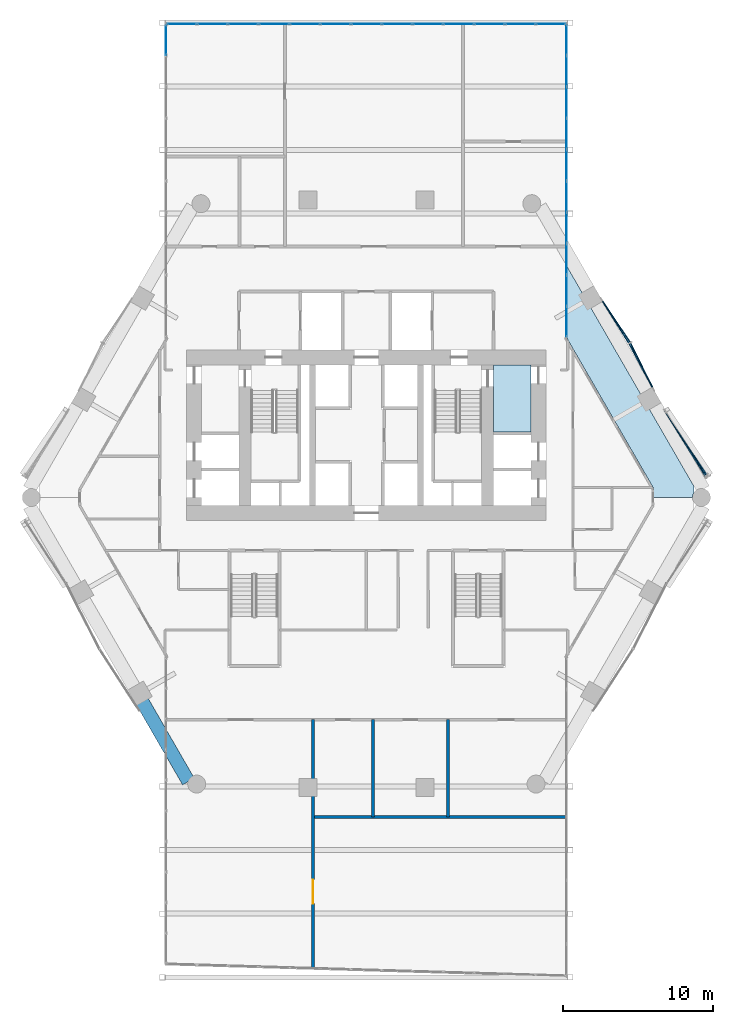
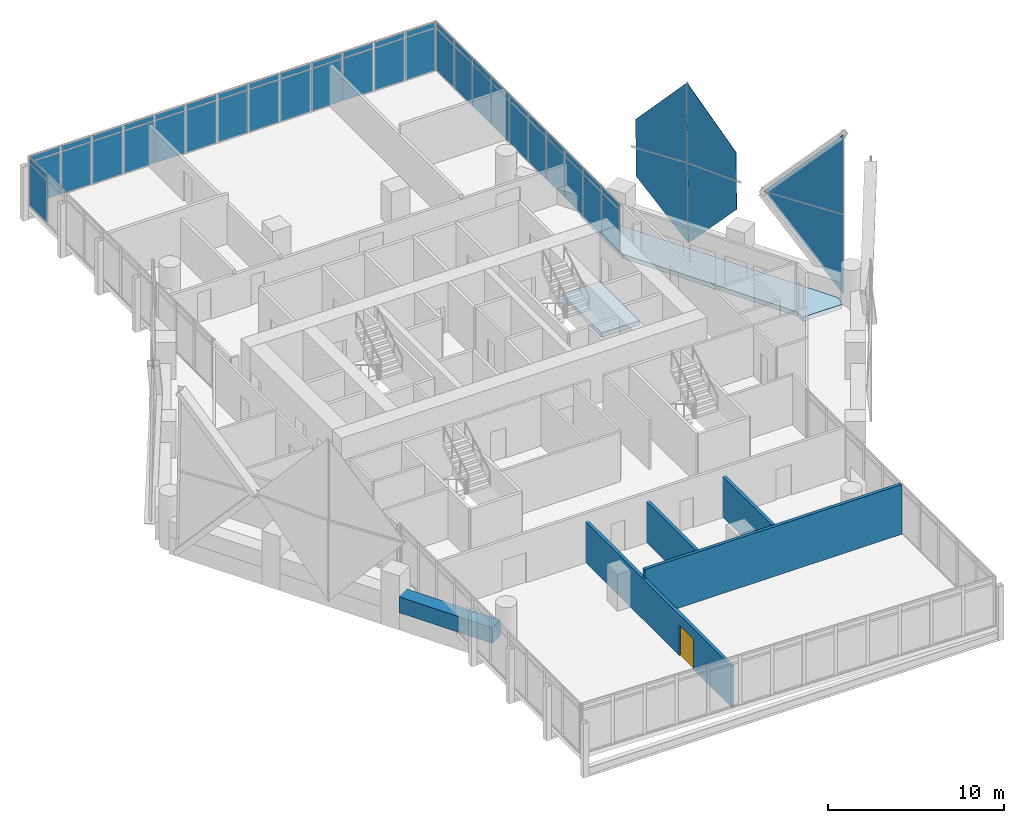
# One storey, part 28 of 38: 54 plates, 5 walls, 2 slabs, 1 door, 1 opening, 7 elements without a shape of their own.
"""IFC4 building model written with IfcOpenShell, lengths in metres."""

from ifc_helpers import new_model, si_unit, direction, frame, frame_2d, origin, origin_2d, place, context, subcontext, project, spatial, polyline, rectangle, outline, extrude, material, layer, layer_set, type_object, element, fill, aggregate, save


model = new_model("IFC4")

# Units and contexts
model_context = context("Model", 3, precision=1e-05, world=origin(), true_north=direction((0.0, 1.0)))
body_context = subcontext(model_context, "Body", "Model", "MODEL_VIEW")
ifc_project = project(units=[si_unit("LENGTHUNIT", "METRE"), si_unit("AREAUNIT", "SQUARE_METRE"), si_unit("VOLUMEUNIT", "CUBIC_METRE"), si_unit("PLANEANGLEUNIT", "RADIAN"), si_unit("MASSUNIT", "GRAM", prefix="KILO")], contexts=[model_context])

# Site, building, storey
site_placement = place(None, origin())
site = spatial("IfcSite", under=ifc_project, at=site_placement, CompositionType="ELEMENT")
building_placement = place(site_placement, origin())
building = spatial("IfcBuilding", under=site, at=building_placement, Name="Ostrander Bayou Hotel Tower", CompositionType="ELEMENT")
storey_placement = place(building_placement, frame((0.0, 0.0, 96.75)))
storey = spatial("IfcBuildingStorey", under=building, at=storey_placement, Name="L24", CompositionType="ELEMENT", Elevation=96.75)

# Curtain wall, plates
ifc_material_1 = material(Name="Aluminium and clear glass", Category="aluminium")
curtain_wall_type_1 = type_object("IfcCurtainWallType", Name="CW-BAR glazed wall", PredefinedType="NOTDEFINED", material=ifc_material_1)
curtain_wall_1_placement = place(storey_placement, origin())
curtain_wall_1 = element("IfcCurtainWall", 1, at=curtain_wall_1_placement, inside=storey, type_object=curtain_wall_type_1, Name="CW-BAR L24:SB2N:E", PredefinedType="NOTDEFINED")
ifc_material_2 = material(Name="Clear laminated glass", Category="glass")
ifc_layer_1 = layer(ifc_material_2, 0.028076171875)
ifc_layer_set_1 = layer_set([ifc_layer_1], Name="CW-BR glazing panel 28 mm")
plate_type_1 = type_object("IfcPlateType", Name="CW-BR glazing panel 28 mm", PredefinedType="CURTAIN_PANEL", material=ifc_layer_set_1)
plate_1_placement = place(storey_placement, frame((-13.3671875, 30.384033203125, 0.06005859375), z_axis=(0.0, 0.0, 1.0), x_axis=(0.0, 1.0, 0.0)))
plate_1 = element("IfcPlate", 2, at=plate_1_placement, type_object=plate_type_1, Name="CW-BAR panel 10.1", PredefinedType="CURTAIN_PANEL", context=body_context, shape_type="SweptSolid", body=[
    extrude(rectangle(XDim=2.00244140625, YDim=0.028076171875, at=origin_2d()), origin(), (0.0, 0.0, 1.0), 2.909912109375),
])
plate_2_placement = place(storey_placement, frame((-13.3671875, 30.384033203125, 3.02978515625), z_axis=(0.0, 0.0, 1.0), x_axis=(0.0, 1.0, 0.0)))
plate_2 = element("IfcPlate", 3, at=plate_2_placement, type_object=plate_type_1, Name="CW-BAR panel 10.2", PredefinedType="CURTAIN_PANEL", context=body_context, shape_type="SweptSolid", body=[
    extrude(rectangle(XDim=2.00244140625, YDim=0.028076171875, at=origin_2d()), origin(), (0.0, 0.0, 1.0), 0.360107421875),
])
aggregate(curtain_wall_1, [plate_1, plate_2])

curtain_wall_2_placement = place(storey_placement, origin())
curtain_wall_2 = element("IfcCurtainWall", 4, at=curtain_wall_2_placement, inside=storey, type_object=curtain_wall_type_1, Name="CW-BAR L24:SB2N:T", PredefinedType="NOTDEFINED")
plate_3_placement = place(storey_placement, frame((-12.323974609375, 31.4453125, 0.06005859375), z_axis=(0.0, 0.0, 1.0), x_axis=(1.0, 0.0, 0.0)))
plate_3 = element("IfcPlate", 5, at=plate_3_placement, type_object=plate_type_1, Name="CW-BAR panel 1.1", PredefinedType="CURTAIN_PANEL", context=body_context, shape_type="SweptSolid", body=[
    extrude(rectangle(XDim=1.966552734375, YDim=0.028076171875, at=origin_2d()), origin(), (0.0, 0.0, 1.0), 2.909912109375),
])
plate_4_placement = place(storey_placement, frame((-12.323974609375, 31.4453125, 3.02978515625), z_axis=(0.0, 0.0, 1.0), x_axis=(1.0, 0.0, 0.0)))
plate_4 = element("IfcPlate", 6, at=plate_4_placement, type_object=plate_type_1, Name="CW-BAR panel 1.2", PredefinedType="CURTAIN_PANEL", context=body_context, shape_type="SweptSolid", body=[
    extrude(rectangle(XDim=1.966552734375, YDim=0.028076171875, at=origin_2d()), origin(), (0.0, 0.0, 1.0), 0.360107421875),
])
plate_5_placement = place(storey_placement, frame((-10.282470703125, 31.4453125, 0.06005859375), z_axis=(0.0, 0.0, 1.0), x_axis=(1.0, 0.0, 0.0)))
plate_5 = element("IfcPlate", 7, at=plate_5_placement, type_object=plate_type_1, Name="CW-BAR panel 2.1", PredefinedType="CURTAIN_PANEL", context=body_context, shape_type="SweptSolid", body=[
    extrude(rectangle(XDim=1.99658203125, YDim=0.028076171875, at=origin_2d()), origin(), (0.0, 0.0, 1.0), 2.909912109375),
])
plate_6_placement = place(storey_placement, frame((-10.282470703125, 31.4453125, 3.02978515625), z_axis=(0.0, 0.0, 1.0), x_axis=(1.0, 0.0, 0.0)))
plate_6 = element("IfcPlate", 8, at=plate_6_placement, type_object=plate_type_1, Name="CW-BAR panel 2.2", PredefinedType="CURTAIN_PANEL", context=body_context, shape_type="SweptSolid", body=[
    extrude(rectangle(XDim=1.99658203125, YDim=0.028076171875, at=origin_2d()), origin(), (0.0, 0.0, 1.0), 0.360107421875),
])
plate_7_placement = place(storey_placement, frame((-8.22607421875, 31.4453125, 0.06005859375), z_axis=(0.0, 0.0, 1.0), x_axis=(1.0, 0.0, 0.0)))
plate_7 = element("IfcPlate", 9, at=plate_7_placement, type_object=plate_type_1, Name="CW-BAR panel 3.1", PredefinedType="CURTAIN_PANEL", context=body_context, shape_type="SweptSolid", body=[
    extrude(rectangle(XDim=1.99658203125, YDim=0.028076171875, at=origin_2d()), origin(), (0.0, 0.0, 1.0), 2.909912109375),
])
plate_8_placement = place(storey_placement, frame((-8.22607421875, 31.4453125, 3.02978515625), z_axis=(0.0, 0.0, 1.0), x_axis=(1.0, 0.0, 0.0)))
plate_8 = element("IfcPlate", 10, at=plate_8_placement, type_object=plate_type_1, Name="CW-BAR panel 3.2", PredefinedType="CURTAIN_PANEL", context=body_context, shape_type="SweptSolid", body=[
    extrude(rectangle(XDim=1.99658203125, YDim=0.028076171875, at=origin_2d()), origin(), (0.0, 0.0, 1.0), 0.360107421875),
])
plate_9_placement = place(storey_placement, frame((-6.16943359375, 31.4453125, 0.06005859375), z_axis=(0.0, 0.0, 1.0), x_axis=(1.0, 0.0, 0.0)))
plate_9 = element("IfcPlate", 11, at=plate_9_placement, type_object=plate_type_1, Name="CW-BAR panel 4.1", PredefinedType="CURTAIN_PANEL", context=body_context, shape_type="SweptSolid", body=[
    extrude(rectangle(XDim=1.99658203125, YDim=0.028076171875, at=origin_2d()), origin(), (0.0, 0.0, 1.0), 2.909912109375),
])
plate_10_placement = place(storey_placement, frame((-6.16943359375, 31.4453125, 3.02978515625), z_axis=(0.0, 0.0, 1.0), x_axis=(1.0, 0.0, 0.0)))
plate_10 = element("IfcPlate", 12, at=plate_10_placement, type_object=plate_type_1, Name="CW-BAR panel 4.2", PredefinedType="CURTAIN_PANEL", context=body_context, shape_type="SweptSolid", body=[
    extrude(rectangle(XDim=1.99658203125, YDim=0.028076171875, at=origin_2d()), origin(), (0.0, 0.0, 1.0), 0.360107421875),
])
plate_11_placement = place(storey_placement, frame((-4.113037109375, 31.4453125, 0.06005859375), z_axis=(0.0, 0.0, 1.0), x_axis=(1.0, 0.0, 0.0)))
plate_11 = element("IfcPlate", 13, at=plate_11_placement, type_object=plate_type_1, Name="CW-BAR panel 5.1", PredefinedType="CURTAIN_PANEL", context=body_context, shape_type="SweptSolid", body=[
    extrude(rectangle(XDim=1.99658203125, YDim=0.028076171875, at=origin_2d()), origin(), (0.0, 0.0, 1.0), 2.909912109375),
])
plate_12_placement = place(storey_placement, frame((-4.113037109375, 31.4453125, 3.02978515625), z_axis=(0.0, 0.0, 1.0), x_axis=(1.0, 0.0, 0.0)))
plate_12 = element("IfcPlate", 14, at=plate_12_placement, type_object=plate_type_1, Name="CW-BAR panel 5.2", PredefinedType="CURTAIN_PANEL", context=body_context, shape_type="SweptSolid", body=[
    extrude(rectangle(XDim=1.99658203125, YDim=0.028076171875, at=origin_2d()), origin(), (0.0, 0.0, 1.0), 0.360107421875),
])
plate_13_placement = place(storey_placement, frame((-2.056396484375, 31.4453125, 0.06005859375), z_axis=(0.0, 0.0, 1.0), x_axis=(1.0, 0.0, 0.0)))
plate_13 = element("IfcPlate", 15, at=plate_13_placement, type_object=plate_type_1, Name="CW-BAR panel 6.1", PredefinedType="CURTAIN_PANEL", context=body_context, shape_type="SweptSolid", body=[
    extrude(rectangle(XDim=1.99658203125, YDim=0.028076171875, at=origin_2d()), origin(), (0.0, 0.0, 1.0), 2.909912109375),
])
plate_14_placement = place(storey_placement, frame((-2.056396484375, 31.4453125, 3.02978515625), z_axis=(0.0, 0.0, 1.0), x_axis=(1.0, 0.0, 0.0)))
plate_14 = element("IfcPlate", 16, at=plate_14_placement, type_object=plate_type_1, Name="CW-BAR panel 6.2", PredefinedType="CURTAIN_PANEL", context=body_context, shape_type="SweptSolid", body=[
    extrude(rectangle(XDim=1.99658203125, YDim=0.028076171875, at=origin_2d()), origin(), (0.0, 0.0, 1.0), 0.360107421875),
])
plate_15_placement = place(storey_placement, frame((0.0, 31.4453125, 0.06005859375), z_axis=(0.0, 0.0, 1.0), x_axis=(1.0, 0.0, 0.0)))
plate_15 = element("IfcPlate", 17, at=plate_15_placement, type_object=plate_type_1, Name="CW-BAR panel 7.1", PredefinedType="CURTAIN_PANEL", context=body_context, shape_type="SweptSolid", body=[
    extrude(rectangle(XDim=1.99658203125, YDim=0.028076171875, at=origin_2d()), origin(), (0.0, 0.0, 1.0), 2.909912109375),
])
plate_16_placement = place(storey_placement, frame((0.0, 31.4453125, 3.02978515625), z_axis=(0.0, 0.0, 1.0), x_axis=(1.0, 0.0, 0.0)))
plate_16 = element("IfcPlate", 18, at=plate_16_placement, type_object=plate_type_1, Name="CW-BAR panel 7.2", PredefinedType="CURTAIN_PANEL", context=body_context, shape_type="SweptSolid", body=[
    extrude(rectangle(XDim=1.99658203125, YDim=0.028076171875, at=origin_2d()), origin(), (0.0, 0.0, 1.0), 0.360107421875),
])
plate_17_placement = place(storey_placement, frame((2.056396484375, 31.4453125, 0.06005859375), z_axis=(0.0, 0.0, 1.0), x_axis=(1.0, 0.0, 0.0)))
plate_17 = element("IfcPlate", 19, at=plate_17_placement, type_object=plate_type_1, Name="CW-BAR panel 8.1", PredefinedType="CURTAIN_PANEL", context=body_context, shape_type="SweptSolid", body=[
    extrude(rectangle(XDim=1.99658203125, YDim=0.028076171875, at=origin_2d()), origin(), (0.0, 0.0, 1.0), 2.909912109375),
])
plate_18_placement = place(storey_placement, frame((2.056396484375, 31.4453125, 3.02978515625), z_axis=(0.0, 0.0, 1.0), x_axis=(1.0, 0.0, 0.0)))
plate_18 = element("IfcPlate", 20, at=plate_18_placement, type_object=plate_type_1, Name="CW-BAR panel 8.2", PredefinedType="CURTAIN_PANEL", context=body_context, shape_type="SweptSolid", body=[
    extrude(rectangle(XDim=1.99658203125, YDim=0.028076171875, at=origin_2d()), origin(), (0.0, 0.0, 1.0), 0.360107421875),
])
plate_19_placement = place(storey_placement, frame((4.113037109375, 31.4453125, 0.06005859375), z_axis=(0.0, 0.0, 1.0), x_axis=(1.0, 0.0, 0.0)))
plate_19 = element("IfcPlate", 21, at=plate_19_placement, type_object=plate_type_1, Name="CW-BAR panel 9.1", PredefinedType="CURTAIN_PANEL", context=body_context, shape_type="SweptSolid", body=[
    extrude(rectangle(XDim=1.99658203125, YDim=0.028076171875, at=origin_2d()), origin(), (0.0, 0.0, 1.0), 2.909912109375),
])
plate_20_placement = place(storey_placement, frame((4.113037109375, 31.4453125, 3.02978515625), z_axis=(0.0, 0.0, 1.0), x_axis=(1.0, 0.0, 0.0)))
plate_20 = element("IfcPlate", 22, at=plate_20_placement, type_object=plate_type_1, Name="CW-BAR panel 9.2", PredefinedType="CURTAIN_PANEL", context=body_context, shape_type="SweptSolid", body=[
    extrude(rectangle(XDim=1.99658203125, YDim=0.028076171875, at=origin_2d()), origin(), (0.0, 0.0, 1.0), 0.360107421875),
])
plate_21_placement = place(storey_placement, frame((6.16943359375, 31.4453125, 0.06005859375), z_axis=(0.0, 0.0, 1.0), x_axis=(1.0, 0.0, 0.0)))
plate_21 = element("IfcPlate", 23, at=plate_21_placement, type_object=plate_type_1, Name="CW-BAR panel 10.1", PredefinedType="CURTAIN_PANEL", context=body_context, shape_type="SweptSolid", body=[
    extrude(rectangle(XDim=1.99658203125, YDim=0.028076171875, at=origin_2d()), origin(), (0.0, 0.0, 1.0), 2.909912109375),
])
plate_22_placement = place(storey_placement, frame((6.16943359375, 31.4453125, 3.02978515625), z_axis=(0.0, 0.0, 1.0), x_axis=(1.0, 0.0, 0.0)))
plate_22 = element("IfcPlate", 24, at=plate_22_placement, type_object=plate_type_1, Name="CW-BAR panel 10.2", PredefinedType="CURTAIN_PANEL", context=body_context, shape_type="SweptSolid", body=[
    extrude(rectangle(XDim=1.99658203125, YDim=0.028076171875, at=origin_2d()), origin(), (0.0, 0.0, 1.0), 0.360107421875),
])
plate_23_placement = place(storey_placement, frame((8.22607421875, 31.4453125, 0.06005859375), z_axis=(0.0, 0.0, 1.0), x_axis=(1.0, 0.0, 0.0)))
plate_23 = element("IfcPlate", 25, at=plate_23_placement, type_object=plate_type_1, Name="CW-BAR panel 11.1", PredefinedType="CURTAIN_PANEL", context=body_context, shape_type="SweptSolid", body=[
    extrude(rectangle(XDim=1.99658203125, YDim=0.028076171875, at=origin_2d()), origin(), (0.0, 0.0, 1.0), 2.909912109375),
])
plate_24_placement = place(storey_placement, frame((8.22607421875, 31.4453125, 3.02978515625), z_axis=(0.0, 0.0, 1.0), x_axis=(1.0, 0.0, 0.0)))
plate_24 = element("IfcPlate", 26, at=plate_24_placement, type_object=plate_type_1, Name="CW-BAR panel 11.2", PredefinedType="CURTAIN_PANEL", context=body_context, shape_type="SweptSolid", body=[
    extrude(rectangle(XDim=1.99658203125, YDim=0.028076171875, at=origin_2d()), origin(), (0.0, 0.0, 1.0), 0.360107421875),
])
plate_25_placement = place(storey_placement, frame((10.282470703125, 31.4453125, 0.06005859375), z_axis=(0.0, 0.0, 1.0), x_axis=(1.0, 0.0, 0.0)))
plate_25 = element("IfcPlate", 27, at=plate_25_placement, type_object=plate_type_1, Name="CW-BAR panel 12.1", PredefinedType="CURTAIN_PANEL", context=body_context, shape_type="SweptSolid", body=[
    extrude(rectangle(XDim=1.99658203125, YDim=0.028076171875, at=origin_2d()), origin(), (0.0, 0.0, 1.0), 2.909912109375),
])
plate_26_placement = place(storey_placement, frame((10.282470703125, 31.4453125, 3.02978515625), z_axis=(0.0, 0.0, 1.0), x_axis=(1.0, 0.0, 0.0)))
plate_26 = element("IfcPlate", 28, at=plate_26_placement, type_object=plate_type_1, Name="CW-BAR panel 12.2", PredefinedType="CURTAIN_PANEL", context=body_context, shape_type="SweptSolid", body=[
    extrude(rectangle(XDim=1.99658203125, YDim=0.028076171875, at=origin_2d()), origin(), (0.0, 0.0, 1.0), 0.360107421875),
])
plate_27_placement = place(storey_placement, frame((12.323974609375, 31.4453125, 0.06005859375), z_axis=(0.0, 0.0, 1.0), x_axis=(1.0, 0.0, 0.0)))
plate_27 = element("IfcPlate", 29, at=plate_27_placement, type_object=plate_type_1, Name="CW-BAR panel 13.1", PredefinedType="CURTAIN_PANEL", context=body_context, shape_type="SweptSolid", body=[
    extrude(rectangle(XDim=1.966552734375, YDim=0.028076171875, at=origin_2d()), origin(), (0.0, 0.0, 1.0), 2.909912109375),
])
plate_28_placement = place(storey_placement, frame((12.323974609375, 31.4453125, 3.02978515625), z_axis=(0.0, 0.0, 1.0), x_axis=(1.0, 0.0, 0.0)))
plate_28 = element("IfcPlate", 30, at=plate_28_placement, type_object=plate_type_1, Name="CW-BAR panel 13.2", PredefinedType="CURTAIN_PANEL", context=body_context, shape_type="SweptSolid", body=[
    extrude(rectangle(XDim=1.966552734375, YDim=0.028076171875, at=origin_2d()), origin(), (0.0, 0.0, 1.0), 0.360107421875),
])
aggregate(curtain_wall_2, [plate_3, plate_4, plate_5, plate_6, plate_7, plate_8, plate_9, plate_10, plate_11, plate_12, plate_13, plate_14, plate_15, plate_16, plate_17, plate_18, plate_19, plate_20, plate_21, plate_22, plate_23, plate_24, plate_25, plate_26, plate_27, plate_28])

curtain_wall_3_placement = place(storey_placement, origin())
curtain_wall_3 = element("IfcCurtainWall", 31, at=curtain_wall_3_placement, inside=storey, type_object=curtain_wall_type_1, Name="CW-BAR L24:SB2N:W", PredefinedType="NOTDEFINED")
plate_29_placement = place(storey_placement, frame((13.3671875, 11.581298828125, 0.06005859375), z_axis=(0.0, 0.0, 1.0), x_axis=(0.0, 1.0, 0.0)))
plate_29 = element("IfcPlate", 32, at=plate_29_placement, type_object=plate_type_1, Name="CW-BAR panel 1.1", PredefinedType="CURTAIN_PANEL", context=body_context, shape_type="SweptSolid", body=[
    extrude(rectangle(XDim=2.00244140625, YDim=0.028076171875, at=origin_2d()), origin(), (0.0, 0.0, 1.0), 2.909912109375),
])
plate_30_placement = place(storey_placement, frame((13.3671875, 11.581298828125, 3.02978515625), z_axis=(0.0, 0.0, 1.0), x_axis=(0.0, 1.0, 0.0)))
plate_30 = element("IfcPlate", 33, at=plate_30_placement, type_object=plate_type_1, Name="CW-BAR panel 1.2", PredefinedType="CURTAIN_PANEL", context=body_context, shape_type="SweptSolid", body=[
    extrude(rectangle(XDim=2.00244140625, YDim=0.028076171875, at=origin_2d()), origin(), (0.0, 0.0, 1.0), 0.360107421875),
])
plate_31_placement = place(storey_placement, frame((13.3671875, 13.65869140625, 0.06005859375), z_axis=(0.0, 0.0, 1.0), x_axis=(0.0, 1.0, 0.0)))
plate_31 = element("IfcPlate", 34, at=plate_31_placement, type_object=plate_type_1, Name="CW-BAR panel 2.1", PredefinedType="CURTAIN_PANEL", context=body_context, shape_type="SweptSolid", body=[
    extrude(rectangle(XDim=2.032470703125, YDim=0.028076171875, at=origin_2d()), origin(), (0.0, 0.0, 1.0), 2.909912109375),
])
plate_32_placement = place(storey_placement, frame((13.3671875, 13.65869140625, 3.02978515625), z_axis=(0.0, 0.0, 1.0), x_axis=(0.0, 1.0, 0.0)))
plate_32 = element("IfcPlate", 35, at=plate_32_placement, type_object=plate_type_1, Name="CW-BAR panel 2.2", PredefinedType="CURTAIN_PANEL", context=body_context, shape_type="SweptSolid", body=[
    extrude(rectangle(XDim=2.032470703125, YDim=0.028076171875, at=origin_2d()), origin(), (0.0, 0.0, 1.0), 0.360107421875),
])
plate_33_placement = place(storey_placement, frame((13.3671875, 15.75146484375, 0.06005859375), z_axis=(0.0, 0.0, 1.0), x_axis=(0.0, 1.0, 0.0)))
plate_33 = element("IfcPlate", 36, at=plate_33_placement, type_object=plate_type_1, Name="CW-BAR panel 3.1", PredefinedType="CURTAIN_PANEL", context=body_context, shape_type="SweptSolid", body=[
    extrude(rectangle(XDim=2.032470703125, YDim=0.028076171875, at=origin_2d()), origin(), (0.0, 0.0, 1.0), 2.909912109375),
])
plate_34_placement = place(storey_placement, frame((13.3671875, 15.75146484375, 3.02978515625), z_axis=(0.0, 0.0, 1.0), x_axis=(0.0, 1.0, 0.0)))
plate_34 = element("IfcPlate", 37, at=plate_34_placement, type_object=plate_type_1, Name="CW-BAR panel 3.2", PredefinedType="CURTAIN_PANEL", context=body_context, shape_type="SweptSolid", body=[
    extrude(rectangle(XDim=2.032470703125, YDim=0.028076171875, at=origin_2d()), origin(), (0.0, 0.0, 1.0), 0.360107421875),
])
plate_35_placement = place(storey_placement, frame((13.3671875, 17.843994140625, 0.06005859375), z_axis=(0.0, 0.0, 1.0), x_axis=(0.0, 1.0, 0.0)))
plate_35 = element("IfcPlate", 38, at=plate_35_placement, type_object=plate_type_1, Name="CW-BAR panel 4.1", PredefinedType="CURTAIN_PANEL", context=body_context, shape_type="SweptSolid", body=[
    extrude(rectangle(XDim=2.032470703125, YDim=0.028076171875, at=origin_2d()), origin(), (0.0, 0.0, 1.0), 2.909912109375),
])
plate_36_placement = place(storey_placement, frame((13.3671875, 17.843994140625, 3.02978515625), z_axis=(0.0, 0.0, 1.0), x_axis=(0.0, 1.0, 0.0)))
plate_36 = element("IfcPlate", 39, at=plate_36_placement, type_object=plate_type_1, Name="CW-BAR panel 4.2", PredefinedType="CURTAIN_PANEL", context=body_context, shape_type="SweptSolid", body=[
    extrude(rectangle(XDim=2.032470703125, YDim=0.028076171875, at=origin_2d()), origin(), (0.0, 0.0, 1.0), 0.360107421875),
])
plate_37_placement = place(storey_placement, frame((13.3671875, 19.9365234375, 0.06005859375), z_axis=(0.0, 0.0, 1.0), x_axis=(0.0, 1.0, 0.0)))
plate_37 = element("IfcPlate", 40, at=plate_37_placement, type_object=plate_type_1, Name="CW-BAR panel 5.1", PredefinedType="CURTAIN_PANEL", context=body_context, shape_type="SweptSolid", body=[
    extrude(rectangle(XDim=2.032470703125, YDim=0.028076171875, at=origin_2d()), origin(), (0.0, 0.0, 1.0), 2.909912109375),
])
plate_38_placement = place(storey_placement, frame((13.3671875, 19.9365234375, 3.02978515625), z_axis=(0.0, 0.0, 1.0), x_axis=(0.0, 1.0, 0.0)))
plate_38 = element("IfcPlate", 41, at=plate_38_placement, type_object=plate_type_1, Name="CW-BAR panel 5.2", PredefinedType="CURTAIN_PANEL", context=body_context, shape_type="SweptSolid", body=[
    extrude(rectangle(XDim=2.032470703125, YDim=0.028076171875, at=origin_2d()), origin(), (0.0, 0.0, 1.0), 0.360107421875),
])
plate_39_placement = place(storey_placement, frame((13.3671875, 22.029052734375, 0.06005859375), z_axis=(0.0, 0.0, 1.0), x_axis=(0.0, 1.0, 0.0)))
plate_39 = element("IfcPlate", 42, at=plate_39_placement, type_object=plate_type_1, Name="CW-BAR panel 6.1", PredefinedType="CURTAIN_PANEL", context=body_context, shape_type="SweptSolid", body=[
    extrude(rectangle(XDim=2.032470703125, YDim=0.028076171875, at=origin_2d()), origin(), (0.0, 0.0, 1.0), 2.909912109375),
])
plate_40_placement = place(storey_placement, frame((13.3671875, 22.029052734375, 3.02978515625), z_axis=(0.0, 0.0, 1.0), x_axis=(0.0, 1.0, 0.0)))
plate_40 = element("IfcPlate", 43, at=plate_40_placement, type_object=plate_type_1, Name="CW-BAR panel 6.2", PredefinedType="CURTAIN_PANEL", context=body_context, shape_type="SweptSolid", body=[
    extrude(rectangle(XDim=2.032470703125, YDim=0.028076171875, at=origin_2d()), origin(), (0.0, 0.0, 1.0), 0.360107421875),
])
plate_41_placement = place(storey_placement, frame((13.3671875, 24.12158203125, 0.06005859375), z_axis=(0.0, 0.0, 1.0), x_axis=(0.0, 1.0, 0.0)))
plate_41 = element("IfcPlate", 44, at=plate_41_placement, type_object=plate_type_1, Name="CW-BAR panel 7.1", PredefinedType="CURTAIN_PANEL", context=body_context, shape_type="SweptSolid", body=[
    extrude(rectangle(XDim=2.032470703125, YDim=0.028076171875, at=origin_2d()), origin(), (0.0, 0.0, 1.0), 2.909912109375),
])
plate_42_placement = place(storey_placement, frame((13.3671875, 24.12158203125, 3.02978515625), z_axis=(0.0, 0.0, 1.0), x_axis=(0.0, 1.0, 0.0)))
plate_42 = element("IfcPlate", 45, at=plate_42_placement, type_object=plate_type_1, Name="CW-BAR panel 7.2", PredefinedType="CURTAIN_PANEL", context=body_context, shape_type="SweptSolid", body=[
    extrude(rectangle(XDim=2.032470703125, YDim=0.028076171875, at=origin_2d()), origin(), (0.0, 0.0, 1.0), 0.360107421875),
])
plate_43_placement = place(storey_placement, frame((13.3671875, 26.214111328125, 0.06005859375), z_axis=(0.0, 0.0, 1.0), x_axis=(0.0, 1.0, 0.0)))
plate_43 = element("IfcPlate", 46, at=plate_43_placement, type_object=plate_type_1, Name="CW-BAR panel 8.1", PredefinedType="CURTAIN_PANEL", context=body_context, shape_type="SweptSolid", body=[
    extrude(rectangle(XDim=2.032470703125, YDim=0.028076171875, at=origin_2d()), origin(), (0.0, 0.0, 1.0), 2.909912109375),
])
plate_44_placement = place(storey_placement, frame((13.3671875, 26.214111328125, 3.02978515625), z_axis=(0.0, 0.0, 1.0), x_axis=(0.0, 1.0, 0.0)))
plate_44 = element("IfcPlate", 47, at=plate_44_placement, type_object=plate_type_1, Name="CW-BAR panel 8.2", PredefinedType="CURTAIN_PANEL", context=body_context, shape_type="SweptSolid", body=[
    extrude(rectangle(XDim=2.032470703125, YDim=0.028076171875, at=origin_2d()), origin(), (0.0, 0.0, 1.0), 0.360107421875),
])
plate_45_placement = place(storey_placement, frame((13.3671875, 28.306640625, 0.06005859375), z_axis=(0.0, 0.0, 1.0), x_axis=(0.0, 1.0, 0.0)))
plate_45 = element("IfcPlate", 48, at=plate_45_placement, type_object=plate_type_1, Name="CW-BAR panel 9.1", PredefinedType="CURTAIN_PANEL", context=body_context, shape_type="SweptSolid", body=[
    extrude(rectangle(XDim=2.032470703125, YDim=0.028076171875, at=origin_2d()), origin(), (0.0, 0.0, 1.0), 2.909912109375),
])
plate_46_placement = place(storey_placement, frame((13.3671875, 28.306640625, 3.02978515625), z_axis=(0.0, 0.0, 1.0), x_axis=(0.0, 1.0, 0.0)))
plate_46 = element("IfcPlate", 49, at=plate_46_placement, type_object=plate_type_1, Name="CW-BAR panel 9.2", PredefinedType="CURTAIN_PANEL", context=body_context, shape_type="SweptSolid", body=[
    extrude(rectangle(XDim=2.032470703125, YDim=0.028076171875, at=origin_2d()), origin(), (0.0, 0.0, 1.0), 0.360107421875),
])
plate_47_placement = place(storey_placement, frame((13.3671875, 30.384033203125, 0.06005859375), z_axis=(0.0, 0.0, 1.0), x_axis=(0.0, 1.0, 0.0)))
plate_47 = element("IfcPlate", 50, at=plate_47_placement, type_object=plate_type_1, Name="CW-BAR panel 10.1", PredefinedType="CURTAIN_PANEL", context=body_context, shape_type="SweptSolid", body=[
    extrude(rectangle(XDim=2.00244140625, YDim=0.028076171875, at=origin_2d()), origin(), (0.0, 0.0, 1.0), 2.909912109375),
])
plate_48_placement = place(storey_placement, frame((13.3671875, 30.384033203125, 3.02978515625), z_axis=(0.0, 0.0, 1.0), x_axis=(0.0, 1.0, 0.0)))
plate_48 = element("IfcPlate", 51, at=plate_48_placement, type_object=plate_type_1, Name="CW-BAR panel 10.2", PredefinedType="CURTAIN_PANEL", context=body_context, shape_type="SweptSolid", body=[
    extrude(rectangle(XDim=2.00244140625, YDim=0.028076171875, at=origin_2d()), origin(), (0.0, 0.0, 1.0), 0.360107421875),
])
aggregate(curtain_wall_3, [plate_29, plate_30, plate_31, plate_32, plate_33, plate_34, plate_35, plate_36, plate_37, plate_38, plate_39, plate_40, plate_41, plate_42, plate_43, plate_44, plate_45, plate_46, plate_47, plate_48])

# Curtain wall, plate
ifc_material_3 = material(Name="Aluminium and clear glass", Category="aluminium")
curtain_wall_type_2 = type_object("IfcCurtainWallType", Name="CW-LAT lattice glazing", PredefinedType="NOTDEFINED", material=ifc_material_3)
curtain_wall_4_placement = place(storey_placement, origin())
curtain_wall_4 = element("IfcCurtainWall", 52, at=curtain_wall_4_placement, inside=storey, type_object=curtain_wall_type_2, Name="CW-LAT L24 NE 3", PredefinedType="NOTDEFINED")
ifc_material_4 = material(Name="Clear laminated glass", Category="glass")
ifc_layer_2 = layer(ifc_material_4, 0.028076171875)
ifc_layer_set_2 = layer_set([ifc_layer_2], Name="CW-LA glazing panel 28 mm")
plate_type_2 = type_object("IfcPlateType", Name="CW-LA glazing panel 28 mm", PredefinedType="CURTAIN_PANEL", material=ifc_layer_set_2)
plate_49_placement = place(storey_placement, frame((19.927001953125, 5.600830078125, 5.02490234375), z_axis=(0.838715078053, 0.544363844998, 0.015000736852), x_axis=(0.374104135202, -0.555937044183, -0.742280337157)))
plate_49 = element("IfcPlate", 53, at=plate_49_placement, type_object=plate_type_2, Name="CW-LAT panel 1", PredefinedType="CURTAIN_PANEL", context=body_context, shape_type="SweptSolid", body=[
    extrude(outline(polyline([(0.0, 0.0), (7.577999467891494, -4.440892098500626e-16), (3.4305579826681587, -3.80109543855923), (0.0, 0.0)])), origin(), (0.0, 0.0, -1.0), 0.028076171875),
])

curtain_wall_5_placement = place(storey_placement, origin())
curtain_wall_5 = element("IfcCurtainWall", 54, at=curtain_wall_5_placement, inside=storey, type_object=curtain_wall_type_2, Name="CW-LAT L24 NE 4", PredefinedType="NOTDEFINED")
plate_50_placement = place(storey_placement, frame((19.927001953125, 5.600830078125, 5.02490234375), z_axis=(0.838715831794, 0.54436433421, 0.014940720811), x_axis=(0.358895637818, -0.573177915293, 0.73665527798)))
plate_50 = element("IfcPlate", 55, at=plate_50_placement, type_object=plate_type_2, Name="CW-LAT panel 2", PredefinedType="CURTAIN_PANEL", context=body_context, shape_type="SweptSolid", body=[
    extrude(outline(polyline([(0.0, 0.0), (7.635864654936666, -8.881784197001252e-16), (3.4622110054778372, 3.772287046213763), (0.0, 0.0)])), origin(), (0.0, 0.0, -1.0), 0.028076171875),
])

curtain_wall_6_placement = place(storey_placement, origin())
curtain_wall_6 = element("IfcCurtainWall", 56, at=curtain_wall_6_placement, inside=storey, type_object=curtain_wall_type_2, Name="CW-LAT L24 NE 1", PredefinedType="NOTDEFINED")
plate_51_placement = place(storey_placement, frame((19.12939453125, 7.22900390625, 3.034912109375), z_axis=(0.890811168365, 0.454142334328, 0.014498361511), x_axis=(-0.29630214487, 0.604802612511, -0.739201487313)))
plate_51 = element("IfcPlate", 57, at=plate_51_placement, type_object=plate_type_2, Name="CW-LAT panel 3", PredefinedType="CURTAIN_PANEL", context=body_context, shape_type="SweptSolid", body=[
    extrude(outline(polyline([(0.0, 0.0), (4.917482317087876, 0.0), (0.755793674031388, 3.7851879347974213), (-1.4710139237254314, 1.340526037337403), (0.0, 0.0)])), origin(), (0.0, 0.0, -1.0), 0.028076171875),
])
aggregate(curtain_wall_6, [plate_51])

curtain_wall_7_placement = place(storey_placement, origin())
curtain_wall_7 = element("IfcCurtainWall", 58, at=curtain_wall_7_placement, inside=storey, type_object=curtain_wall_type_2, Name="CW-LAT L24 NE 2", PredefinedType="NOTDEFINED")
plate_52_placement = place(storey_placement, frame((19.077392578125, 7.20361328125, 7.01953125), z_axis=(0.890812774143, 0.454138071666, 0.014533178804), x_axis=(-0.315158036664, 0.594524079079, 0.739740854166)))
plate_52 = element("IfcPlate", 59, at=plate_52_placement, type_object=plate_type_2, Name="CW-LAT panel 4", PredefinedType="CURTAIN_PANEL", context=body_context, shape_type="SweptSolid", body=[
    extrude(outline(polyline([(0.0, 0.0), (4.9076244953074, -8.881784197001252e-16), (0.7486535320929275, -3.788176415709904), (-1.4758264722046883, -1.3421342033503536), (0.0, 0.0)])), origin(), (0.0, 0.0, -1.0), 0.028076171875),
])
aggregate(curtain_wall_7, [plate_52])

# Plate
plate_53_placement = place(storey_placement, frame((15.8251953125, 12.951904296875, 3.034912109375), z_axis=(0.838690089472, 0.544415918243, 0.014499716702), x_axis=(0.375634227674, -0.558988757188, -0.739209372463)))
plate_53 = element("IfcPlate", 60, at=plate_53_placement, type_object=plate_type_2, Name="CW-LAT panel 5", PredefinedType="CURTAIN_PANEL", context=body_context, shape_type="SweptSolid", body=[
    extrude(outline(polyline([(0.0, 0.0), (4.917429524014427, 0.0), (0.7555724085060826, -3.7850026967508663), (-1.4709996316609895, -1.3405421653783123), (0.0, 0.0)])), origin(), (0.0, 0.0, -1.0), 0.028076171875),
])

aggregate(curtain_wall_4, [plate_49, plate_53])

plate_54_placement = place(storey_placement, frame((15.77734375, 12.919677734375, 7.01953125), z_axis=(0.838706517312, 0.544390593329, 0.014500334921), x_axis=(0.357309302733, -0.570186450826, 0.739741490979)))
plate_54 = element("IfcPlate", 61, at=plate_54_placement, type_object=plate_type_2, Name="CW-LAT panel 6", PredefinedType="CURTAIN_PANEL", context=body_context, shape_type="SweptSolid", body=[
    extrude(outline(polyline([(0.0, 0.0), (4.907624141221785, 0.0), (0.7484894786019534, 3.7879966828426745), (-1.4757827864200777, 1.3421765702081985), (0.0, 0.0)])), origin(), (0.0, 0.0, -1.0), 0.028076171875),
])

aggregate(curtain_wall_5, [plate_50, plate_54])

# Slabs
ifc_material_5 = material(Name="Concrete f'c 40 MPa", Category="concrete")
ifc_layer_3 = layer(ifc_material_5, 0.300048828125)
ifc_layer_set_3 = layer_set([ifc_layer_3], Name="SL1 floor slab 300 mm f'c 40 MPa")
slab_type_1 = type_object("IfcSlabType", Name="SL1 floor slab 300 mm f'c 40 MPa", PredefinedType="FLOOR", material=ifc_layer_set_3)
slab_1_placement = place(storey_placement, frame((0.0, 0.0, -0.300048828125)))
element("IfcSlab", 62, at=slab_1_placement, inside=storey, type_object=slab_type_1, Name="cslab:L24:003", PredefinedType="FLOOR", context=body_context, shape_type="SweptSolid", body=[
    extrude(outline(polyline([(11.0, 4.199951171875), (11.0, 8.699951171875), (8.5, 8.699951171875), (8.5, 4.199951171875), (11.0, 4.199951171875)])), origin(), (0.0, 0.0, 1.0), 0.300048828125),
])
ifc_material_6 = material(Name="Concrete f'c 40 MPa", Category="concrete")
ifc_layer_4 = layer(ifc_material_6, 0.300048828125)
ifc_layer_set_4 = layer_set([ifc_layer_4], Name="SL4 loggia slab 300 mm f'c 40 MPa")
slab_type_2 = type_object("IfcSlabType", Name="SL4 loggia slab 300 mm f'c 40 MPa", PredefinedType="FLOOR", material=ifc_layer_set_4)
slab_2_placement = place(storey_placement, frame((0.0, 0.0, -0.300048828125)))
element("IfcSlab", 63, at=slab_2_placement, inside=storey, type_object=slab_type_2, Name="SL4 LOGGIA L24 NE 1", PredefinedType="FLOOR", context=body_context, shape_type="SweptSolid", body=[
    extrude(outline(polyline([(13.442138671875, 15.190185546875), (19.9150390625, 3.978759765625), (21.831298828125, 0.659912109375), (21.873779296875, 0.586181640625), (21.873779296875, 0.165771484375), (21.8203125, 0.06591796875), (21.7861328125, -0.046630859375), (21.774658203125, -0.163818359375), (19.18896484375, -0.163818359375), (19.18896484375, 0.436279296875), (13.442138671875, 10.39013671875), (13.442138671875, 15.190185546875)])), origin(), (0.0, 0.0, 1.0), 0.300048828125),
])

# Walls
ifc_material_7 = material(Name="Limestone masonry", Category="masonry")
ifc_layer_5 = layer(ifc_material_7, 0.89990234375)
ifc_layer_set_5 = layer_set([ifc_layer_5], Name="PA2 limestone parapet 900 mm")
wall_type_1 = type_object("IfcWallType", Name="PA2 limestone parapet 900 mm", PredefinedType="PARAPET", material=ifc_layer_set_5)
wall_1_placement = place(storey_placement, frame((-14.9521484375, -13.802001953125, 0.0), z_axis=(0.0, 0.0, 1.0), x_axis=(0.499976998774, -0.866038683141, 0.0)))
element("IfcWall", 64, at=wall_1_placement, inside=storey, type_object=wall_type_1, Name="PA2 L24 SW-3", PredefinedType="PARAPET", context=body_context, shape_type="SweptSolid", body=[
    extrude(rectangle(XDim=6.143798828125, YDim=0.89990234375, at=frame_2d((3.07177734375, 0.0))), origin(), (0.0, 0.0, 1.0), 1.10009765625),
])
ifc_material_8 = material(Name="Gypsum board partition", Category="finish")
ifc_layer_6 = layer(ifc_material_8, 0.199951171875)
ifc_layer_set_6 = layer_set([ifc_layer_6], Name="PT3 demising wall 200 mm acoustic double stud, 1 hour")
wall_type_2 = type_object("IfcWallType", Name="PT3 demising wall 200 mm acoustic double stud, 1 hour", PredefinedType="PARTITIONING", material=ifc_layer_set_6)
wall_2_placement = place(storey_placement, frame((-3.557861328125, -21.5, 0.0), z_axis=(0.0, 0.0, 1.0), x_axis=(1.0, 0.0, 0.0)))
element("IfcWall", 65, at=wall_2_placement, inside=storey, type_object=wall_type_2, Name="sw:L24:502", PredefinedType="PARTITIONING", context=body_context, shape_type="SweptSolid", body=[
    extrude(rectangle(XDim=16.8701171875, YDim=0.199951171875, at=frame_2d((8.43505859375, 0.0))), origin(), (0.0, 0.0, 1.0), 3.449951171875),
])

# Wall, opening, door
wall_3_placement = place(storey_placement, frame((-3.55810546875, -31.5751953125, 0.0), z_axis=(0.0, 0.0, 1.0), x_axis=(0.0, 1.0, 0.0)))
wall_3 = element("IfcWall", 66, at=wall_3_placement, inside=storey, type_object=wall_type_2, Name="sw:L24:507", PredefinedType="PARTITIONING", context=body_context, shape_type="SweptSolid", body=[
    extrude(rectangle(XDim=16.5751953125, YDim=0.199951171875, at=frame_2d((8.28759765625, 0.0))), origin(), (0.0, 0.0, 1.0), 2.828125),
])
opening_placement = place(wall_3_placement, frame((4.293212890625, 0.0, 0.0)))
opening = element("IfcOpeningElement", 67, at=opening_placement, cuts=wall_3, Name="Opening T23-1204", PredefinedType="OPENING", context=body_context, shape_type="SweptSolid", body=[
    extrude(rectangle(XDim=1.60009765625, YDim=2.10009765625, at=frame_2d((0.800048828125, 1.050048828125))), frame((0.0, 0.10009765625, 0.0), z_axis=(0.0, -1.0, 0.0), x_axis=(1.0, 0.0, 0.0)), (0.0, 0.0, 1.0), 0.199951171875),
])
ifc_material_9 = material(Name="Timber door leaf", Category="wood")
door_type = type_object("IfcDoorType", Name="D13 double door 1600 x 2100 mm, 1 hour", OperationType="SINGLE_SWING_LEFT", PredefinedType="DOOR", material=ifc_material_9)
door_placement = place(opening_placement, origin())
door = element("IfcDoor", 68, at=door_placement, inside=storey, type_object=door_type, Name="dr:L24:1204", OperationType="DOUBLE_DOOR_SINGLE_SWING", OverallHeight=2.10009765625, OverallWidth=1.60009765625, PredefinedType="DOOR", context=body_context, shape_type="SweptSolid", body=[
    extrude(rectangle(XDim=1.60009765625, YDim=2.10009765625, at=frame_2d((0.800048828125, 1.050048828125))), frame((0.0, 0.02490234375, 0.0), z_axis=(0.0, -1.0, 0.0), x_axis=(1.0, 0.0, 0.0)), (0.0, 0.0, 1.0), 0.050048828125),
])
fill(opening, door)

# Walls
for number, where, z_axis, x_axis, name in (
    (69, (0.44189453125, -21.5, 0.0), (0.0, 0.0, 1.0), (0.0, 1.0, 0.0), "sw:L24:508"),
    (70, (5.44189453125, -21.5, 0.0), (0.0, 0.0, 1.0), (0.0, 1.0, 0.0), "sw:L24:509"),
):
    element("IfcWall", number, at=place(storey_placement, frame(where, z_axis=z_axis, x_axis=x_axis)), inside=storey, type_object=wall_type_2, Name=name, PredefinedType="PARTITIONING", context=body_context, shape_type="SweptSolid", body=[
        extrude(rectangle(XDim=6.5, YDim=0.199951171875, at=frame_2d((3.25, 0.0))), origin(), (0.0, 0.0, 1.0), 2.828125),
    ])

save(model, "model.ifc")
